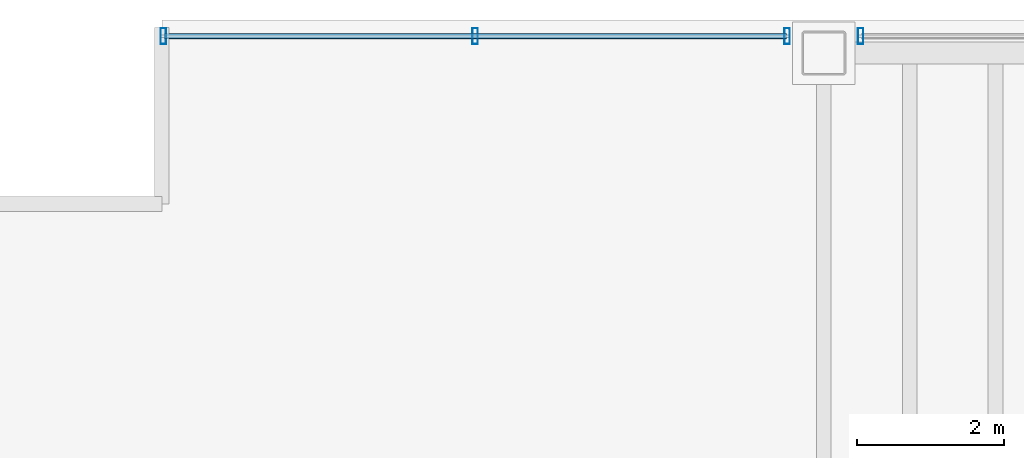
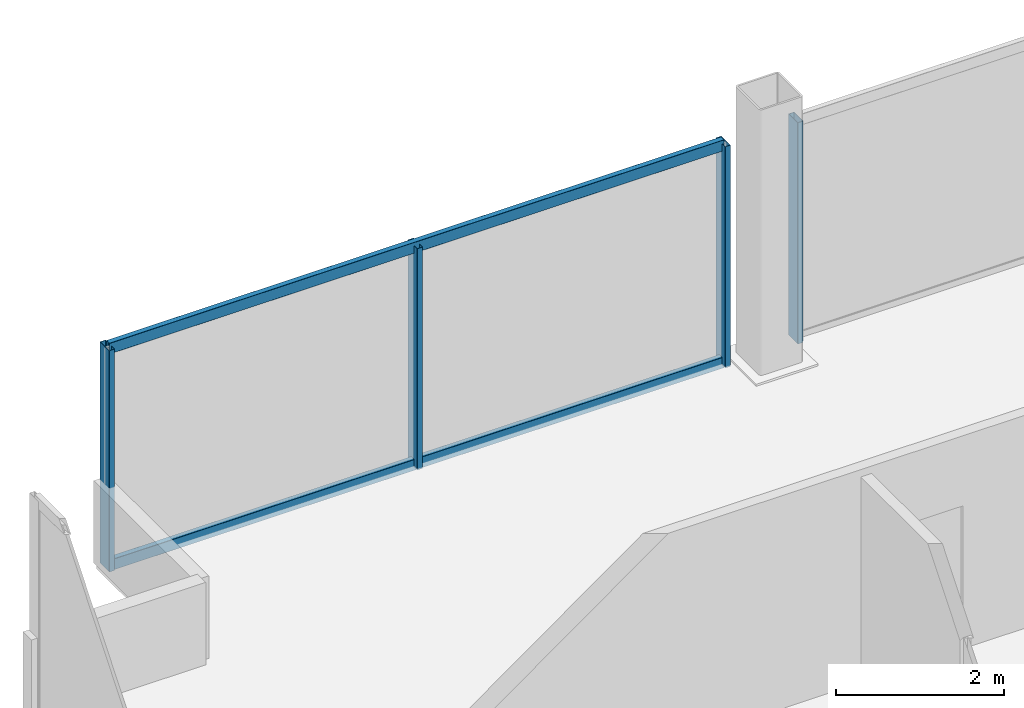
# One storey, part 14 of 21: 6 members, 2 elements without a shape of their own.
"""IFC4 building model written with IfcOpenShell, lengths in metres."""

import ifcopenshell
import ifcopenshell.guid

model = None  # the IFC model being written
_history = None  # IfcOwnerHistory: only IFC2X3 demands one
_inside = {}  # id of a spatial element -> (the spatial element, [elements in it])
_under = {}  # id of a project, library or spatial element -> (it, [spatial elements below it])
_declared = {}  # id of a project -> (the project, [libraries it declares])
_typed = {}  # id of a type object -> (the type object, [elements of that type])
_made_of = {}  # id of a material, layer set ... -> (it, [elements and type objects made of it])


def new_model(schema):
    """Start an empty IFC model of exactly this schema.

    Asked for "IFC4X3", IfcOpenShell would pick the latest addendum, in which some entities
    have other attributes; the version numbers below select the first issue.
    IFC2X3 requires an IfcOwnerHistory on every rooted entity: one is made here for all.
    """
    global model, _history
    if schema == "IFC4X3":
        model = ifcopenshell.file(schema_version=(4, 3, 0, 0))
    else:
        model = ifcopenshell.file(schema=schema)
    _inside.clear()
    _under.clear()
    _declared.clear()
    _typed.clear()
    _made_of.clear()
    _history = None
    if model.schema == "IFC2X3":
        org = make("IfcOrganization", Name="unknown")
        user = make(
            "IfcPersonAndOrganization",
            ThePerson=make("IfcPerson", FamilyName="unknown"),
            TheOrganization=org,
        )
        app = make(
            "IfcApplication",
            ApplicationDeveloper=org,
            Version="unknown",
            ApplicationFullName="unknown",
            ApplicationIdentifier="unknown",
        )
        _history = make(
            "IfcOwnerHistory",
            OwningUser=user,
            OwningApplication=app,
            ChangeAction="ADDED",
            CreationDate=0,
        )
    return model


def make(cls, **values):
    """One entity of the class cls with the attributes given. An attribute that is None is left unset."""
    return model.create_entity(
        cls, **{name: value for name, value in values.items() if value is not None}
    )


def rooted(cls, **values):
    """An entity with a GlobalId (a new one), such as an element, a storey or a relation."""
    return make(cls, GlobalId=ifcopenshell.guid.new(), OwnerHistory=_history, **values)


def si_unit(unit_type, name, prefix=None):
    """IfcSIUnit, for example si_unit("LENGTHUNIT", "METRE", prefix="MILLI")."""
    return make("IfcSIUnit", UnitType=unit_type, Prefix=prefix, Name=name)


def assignment(units):
    """IfcUnitAssignment: the units of a project."""
    return None if units is None else make("IfcUnitAssignment", Units=units)


def point(xyz):
    """IfcCartesianPoint."""
    return None if xyz is None else make("IfcCartesianPoint", Coordinates=xyz)


def direction(xyz):
    """IfcDirection."""
    return None if xyz is None else make("IfcDirection", DirectionRatios=xyz)


def frame(location, z_axis=None, x_axis=None):
    """IfcAxis2Placement3D, a coordinate frame: its origin and axes. An axis left out is left unset."""
    return make(
        "IfcAxis2Placement3D",
        Location=point(location),
        Axis=direction(z_axis),
        RefDirection=direction(x_axis),
    )


def frame_2d(location, x_axis=None):
    """IfcAxis2Placement2D, a coordinate frame in the plane: its origin and x axis."""
    return make(
        "IfcAxis2Placement2D", Location=point(location), RefDirection=direction(x_axis)
    )


def origin():
    """The frame at (0, 0, 0) with its axes left unset."""
    return frame((0.0, 0.0, 0.0))


def origin_2d():
    """The frame at (0, 0) in the plane with its x axis left unset."""
    return frame_2d((0.0, 0.0))


def place(relative_to, where):
    """IfcLocalPlacement: puts the frame where relative to a parent placement (None: the world)."""
    return make(
        "IfcLocalPlacement", PlacementRelTo=relative_to, RelativePlacement=where
    )


def context(
    kind, dimensions, precision=None, world=None, true_north=None, identifier=None
):
    """IfcGeometricRepresentationContext, for example the 3D "Model" context."""
    return make(
        "IfcGeometricRepresentationContext",
        ContextIdentifier=identifier,
        ContextType=kind,
        CoordinateSpaceDimension=dimensions,
        Precision=precision,
        WorldCoordinateSystem=world,
        TrueNorth=true_north,
    )


def subcontext(parent, identifier, kind, view, scale=None):
    """IfcGeometricRepresentationSubContext, for example "Body" below "Model"."""
    return make(
        "IfcGeometricRepresentationSubContext",
        ContextIdentifier=identifier,
        ContextType=kind,
        ParentContext=parent,
        TargetScale=scale,
        TargetView=view,
    )


def project(units=None, contexts=None):
    """IfcProject with its units and contexts."""
    return rooted(
        "IfcProject",
        Name="project",
        RepresentationContexts=contexts,
        UnitsInContext=assignment(units),
    )


def spatial(cls, under=None, at=None, **own):
    """A site, building, storey or space (cls), placed at a placement, below another one or the project."""
    s = rooted(cls, ObjectPlacement=at, **own)
    if under is not None:
        _under.setdefault(under.id(), (under, []))[1].append(s)
    return s


def profile(cls, at=None, kind="AREA", **sizes):
    """A parametric profile (cls). Its sizes go by their IFC names, for example OverallWidth=200.0."""
    return make(cls, ProfileType=kind, Position=at, **sizes)


def hollow_rectangle(**sizes):
    """IfcRectangleHollowProfileDef."""
    return profile("IfcRectangleHollowProfileDef", **sizes)


def extrude(swept, where, along, depth):
    """IfcExtrudedAreaSolid: the profile swept, set in the frame where, extruded along a direction by depth."""
    return make(
        "IfcExtrudedAreaSolid",
        SweptArea=swept,
        Position=where,
        ExtrudedDirection=direction(along),
        Depth=depth,
    )


def shape(context_of_items, identifier, shape_type, items):
    """IfcShapeRepresentation: the items that make up one representation, for example the "Body"."""
    return make(
        "IfcShapeRepresentation",
        ContextOfItems=context_of_items,
        RepresentationIdentifier=identifier,
        RepresentationType=shape_type,
        Items=items,
    )


def material(Name=None, Category=None):
    """IfcMaterial."""
    return make("IfcMaterial", Name=Name, Category=Category)


def material_profile(
    of_material, cross_section, Name=None, Category=None, Priority=None
):
    """IfcMaterialProfile: a cross section and its material."""
    return make(
        "IfcMaterialProfile",
        Name=Name,
        Material=of_material,
        Profile=cross_section,
        Priority=Priority,
        Category=Category,
    )


def profile_set(profiles, Name=None, composite=None):
    """IfcMaterialProfileSet."""
    return make(
        "IfcMaterialProfileSet",
        Name=Name,
        MaterialProfiles=profiles,
        CompositeProfile=composite,
    )


def made_of(thing, what):
    """Note that an element or type object is made of a material, layer set ...; save() writes the relation."""
    if what is not None:
        _made_of.setdefault(what.id(), (what, []))[1].append(thing)
    return thing


def type_object(cls, material=None, **own):
    """A type object (cls), such as IfcWallType, which elements share."""
    return made_of(rooted(cls, **own), material)


def element(
    cls,
    number,
    at=None,
    inside=None,
    cuts=None,
    type_object=None,
    material=None,
    context=None,
    identifier="Body",
    shape_type=None,
    held_by="IfcProductDefinitionShape",
    body=None,
    shapes=None,
    **own,
):
    """One element of the class cls, such as IfcWall. Its Tag is "e" and its number.

    at: its placement. inside: the storey or other place that contains it. cuts: it is an
    opening in that element (IfcRelVoidsElement). A single representation is given by context,
    identifier, shape_type and body (its items); several are given by shapes. held_by: the class
    of the entity that holds the representations. save() writes the other relations.
    """
    e = rooted(cls, Tag="e%d" % number, ObjectPlacement=at, **own)
    if body is not None:
        shapes = [shape(context, identifier, shape_type, body)]
    if shapes is not None:
        e.Representation = make(held_by, Representations=shapes)
    if inside is not None:
        _inside.setdefault(inside.id(), (inside, []))[1].append(e)
    if cuts is not None:
        rooted(
            "IfcRelVoidsElement", RelatingBuildingElement=cuts, RelatedOpeningElement=e
        )
    if type_object is not None:
        _typed.setdefault(type_object.id(), (type_object, []))[1].append(e)
    return made_of(e, material)


def aggregate(whole, parts):
    """IfcRelAggregates: a whole, such as a stair, and the parts it consists of."""
    return rooted("IfcRelAggregates", RelatingObject=whole, RelatedObjects=parts)


def save(model, path):
    """Write the relations noted so far, then the file.

    IfcRelAggregates (storeys below a building ...), IfcRelContainedInSpatialStructure (elements
    in a storey), IfcRelDefinesByType, IfcRelAssociatesMaterial and IfcRelDeclares: one each for
    every whole, place, type object, material and project.
    """
    for whole, parts in _under.values():
        aggregate(whole, parts)
    for where, things in _inside.values():
        rooted(
            "IfcRelContainedInSpatialStructure",
            RelatedElements=things,
            RelatingStructure=where,
        )
    for kind, things in _typed.values():
        rooted("IfcRelDefinesByType", RelatedObjects=things, RelatingType=kind)
    for what, things in _made_of.values():
        rooted("IfcRelAssociatesMaterial", RelatedObjects=things, RelatingMaterial=what)
    for by, libraries in _declared.values():
        rooted("IfcRelDeclares", RelatingContext=by, RelatedDefinitions=libraries)
    model.write(path)


model = new_model("IFC4")

# Units and contexts
model_context = context("Model", 3, precision=1e-05, world=origin(), true_north=direction((0.0, 1.0)))
body_context = subcontext(model_context, "Body", "Model", "MODEL_VIEW")
ifc_project = project(units=[si_unit("LENGTHUNIT", "METRE"), si_unit("AREAUNIT", "SQUARE_METRE"), si_unit("VOLUMEUNIT", "CUBIC_METRE"), si_unit("PLANEANGLEUNIT", "RADIAN"), si_unit("MASSUNIT", "GRAM", prefix="KILO")], contexts=[model_context])

# Site, building, storey
site_placement = place(None, origin())
site = spatial("IfcSite", under=ifc_project, at=site_placement, CompositionType="ELEMENT")
building_placement = place(site_placement, origin())
building = spatial("IfcBuilding", under=site, at=building_placement, Name="Noeulbin Bourse Tower", CompositionType="ELEMENT")
storey_placement = place(building_placement, frame((0.0, 0.0, 38.199951171875)))
storey = spatial("IfcBuildingStorey", under=building, at=storey_placement, Name="L09", CompositionType="ELEMENT", Elevation=38.199951171875)

# Curtain wall, members
ifc_material_1 = material(Name="Dark Solar-Control Double Glazing", Category="glass")
curtain_wall_type = type_object("IfcCurtainWallType", Name="CW-SYS-2", PredefinedType="NOTDEFINED", material=ifc_material_1)
curtain_wall_1_placement = place(storey_placement, origin())
curtain_wall_1 = element("IfcCurtainWall", 1, at=curtain_wall_1_placement, inside=storey, type_object=curtain_wall_type, Name="Unitised Curtain Wall CW-L09-N-S1", PredefinedType="NOTDEFINED")
ifc_material_2 = material(Name="Anodised Aluminium 6063-T6", Category="aluminium")
ifc_material_profile_1 = material_profile(ifc_material_2, hollow_rectangle(XDim=0.074951171875, YDim=0.219970703125, WallThickness=0.0048828125, InnerFilletRadius=0.00244140625, OuterFilletRadius=0.0048828125, at=origin_2d()), Name="ALU-MULL-75x220x5", Category="LoadBearing")
ifc_profile_set_1 = profile_set([ifc_material_profile_1], Name="Anodised Aluminium 6063-T6")
member_type_1 = type_object("IfcMemberType", Name="CW-SYS-2-MUL", PredefinedType="MULLION", material=ifc_profile_set_1)
member_1_placement = place(storey_placement, frame((4.52001953125, 46.780029296875, -0.02001953125), z_axis=(0.0, 0.0, 1.0), x_axis=(1.0, 0.0, 0.0)))
member_1 = element("IfcMember", 2, at=member_1_placement, type_object=member_type_1, Name="Curtain Wall Mullion CW-L09-N-S1-M00", PredefinedType="MULLION", context=body_context, shape_type="SweptSolid", body=[
    extrude(hollow_rectangle(XDim=0.074951171875, YDim=0.219970703125, WallThickness=0.0048828125, InnerFilletRadius=0.00244140625, OuterFilletRadius=0.0048828125, at=origin_2d()), origin(), (0.0, 0.0, 1.0), 3.219970703125),
])
member_2_placement = place(storey_placement, frame((8.760009765625, 46.780029296875, -0.02001953125), z_axis=(0.0, 0.0, 1.0), x_axis=(1.0, 0.0, 0.0)))
member_2 = element("IfcMember", 3, at=member_2_placement, type_object=member_type_1, Name="Curtain Wall Mullion CW-L09-N-S1-M01", PredefinedType="MULLION", context=body_context, shape_type="SweptSolid", body=[
    extrude(hollow_rectangle(XDim=0.074951171875, YDim=0.219970703125, WallThickness=0.0048828125, InnerFilletRadius=0.00244140625, OuterFilletRadius=0.0048828125, at=origin_2d()), origin(), (0.0, 0.0, 1.0), 3.219970703125),
])
member_3_placement = place(storey_placement, frame((13.0, 46.780029296875, -0.02001953125), z_axis=(0.0, 0.0, 1.0), x_axis=(1.0, 0.0, 0.0)))
member_3 = element("IfcMember", 4, at=member_3_placement, type_object=member_type_1, Name="Curtain Wall Mullion CW-L09-N-S1-M02", PredefinedType="MULLION", context=body_context, shape_type="SweptSolid", body=[
    extrude(hollow_rectangle(XDim=0.074951171875, YDim=0.219970703125, WallThickness=0.0048828125, InnerFilletRadius=0.00244140625, OuterFilletRadius=0.0048828125, at=origin_2d()), origin(), (0.0, 0.0, 1.0), 3.219970703125),
])

# Curtain wall, member
curtain_wall_2_placement = place(storey_placement, origin())
curtain_wall_2 = element("IfcCurtainWall", 5, at=curtain_wall_2_placement, inside=storey, type_object=curtain_wall_type, Name="Unitised Curtain Wall CW-L09-N-S2", PredefinedType="NOTDEFINED")
member_4_placement = place(storey_placement, frame((14.0, 46.780029296875, -0.02001953125), z_axis=(0.0, 0.0, 1.0), x_axis=(1.0, 0.0, 0.0)))
member_4 = element("IfcMember", 6, at=member_4_placement, type_object=member_type_1, Name="Curtain Wall Mullion CW-L09-N-S2-M00", PredefinedType="MULLION", context=body_context, shape_type="SweptSolid", body=[
    extrude(hollow_rectangle(XDim=0.074951171875, YDim=0.219970703125, WallThickness=0.0048828125, InnerFilletRadius=0.00244140625, OuterFilletRadius=0.0048828125, at=origin_2d()), origin(), (0.0, 0.0, 1.0), 3.219970703125),
])
aggregate(curtain_wall_2, [member_4])

# Member
ifc_material_profile_2 = material_profile(ifc_material_2, hollow_rectangle(XDim=0.074951171875, YDim=0.159912109375, WallThickness=0.0048828125, InnerFilletRadius=0.00244140625, OuterFilletRadius=0.0048828125, at=origin_2d()), Name="ALU-TRAN-75x160x5", Category="LoadBearing")
ifc_profile_set_2 = profile_set([ifc_material_profile_2], Name="Anodised Aluminium 6063-T6")
member_type_2 = type_object("IfcMemberType", Name="CW-SYS-2-TRN", PredefinedType="USERDEFINED", material=ifc_profile_set_2)
member_5_placement = place(storey_placement, frame((4.530029296875, 46.780029296875, 0.010009765625), z_axis=(1.0, 0.0, 0.0), x_axis=(0.0, 1.0, 0.0)))
member_5 = element("IfcMember", 7, at=member_5_placement, type_object=member_type_2, Name="Curtain Wall Transom CW-L09-N-S1-T00", ObjectType="TRANSOM", PredefinedType="USERDEFINED", context=body_context, shape_type="SweptSolid", body=[
    extrude(hollow_rectangle(XDim=0.074951171875, YDim=0.159912109375, WallThickness=0.0048828125, InnerFilletRadius=0.00244140625, OuterFilletRadius=0.0048828125, at=origin_2d()), origin(), (0.0, 0.0, 1.0), 8.4599609375),
])

member_6_placement = place(storey_placement, frame((4.530029296875, 46.780029296875, 3.170166015625), z_axis=(1.0, 0.0, 0.0), x_axis=(0.0, 1.0, 0.0)))
member_6 = element("IfcMember", 8, at=member_6_placement, type_object=member_type_2, Name="Curtain Wall Transom CW-L09-N-S1-T01", ObjectType="TRANSOM", PredefinedType="USERDEFINED", context=body_context, shape_type="SweptSolid", body=[
    extrude(hollow_rectangle(XDim=0.074951171875, YDim=0.159912109375, WallThickness=0.0048828125, InnerFilletRadius=0.00244140625, OuterFilletRadius=0.0048828125, at=origin_2d()), origin(), (0.0, 0.0, 1.0), 8.4599609375),
])

aggregate(curtain_wall_1, [member_1, member_2, member_3, member_5, member_6])

save(model, "model.ifc")
